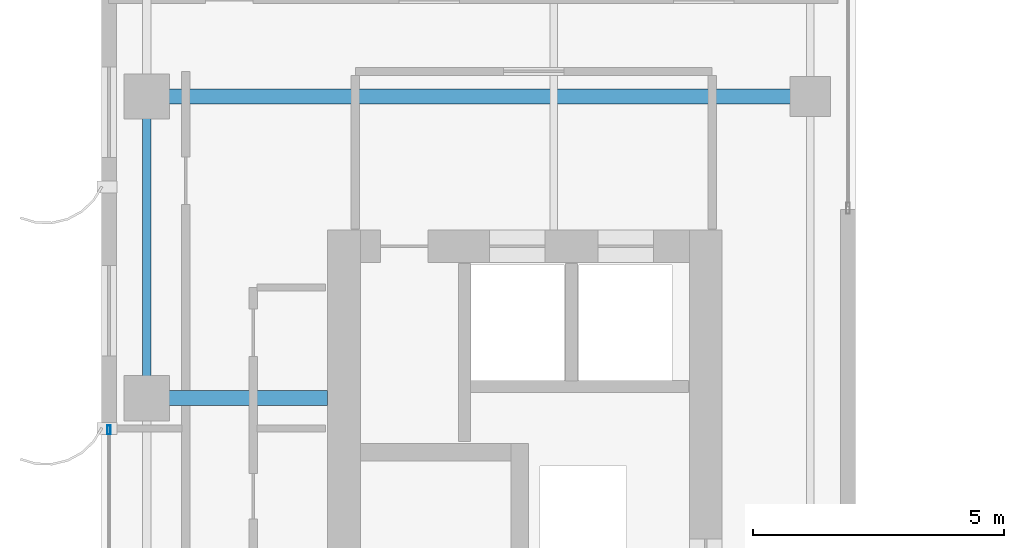
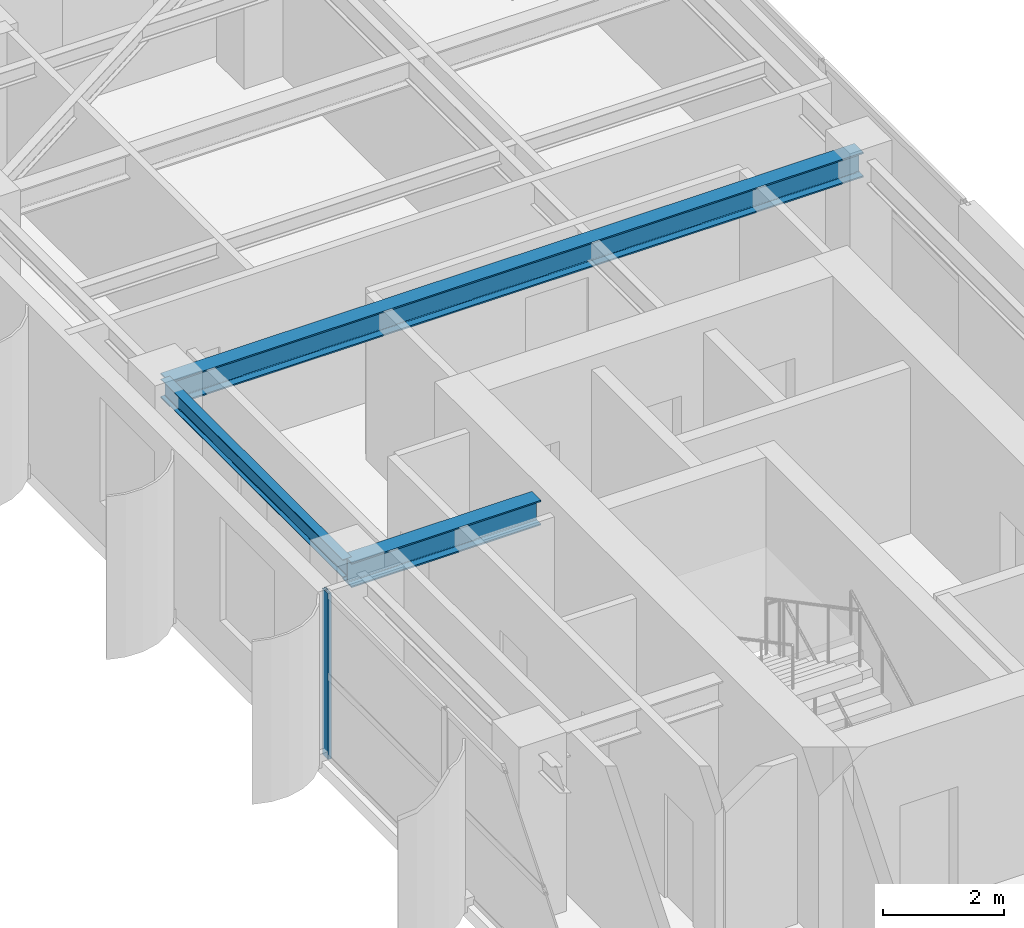
# One storey, part 8 of 22: 3 beams, 1 member, 1 element without a shape of its own.
"""IFC4 building model written with IfcOpenShell, lengths in metres."""

from ifc_helpers import new_model, si_unit, direction, frame, origin, origin_2d, place, context, subcontext, project, spatial, hollow_rectangle, i_section, extrude, source, transform, mapped, material, layer, layer_set, material_profile, profile_set, type_object, element, aggregate, save


model = new_model("IFC4")

# Units and contexts
model_context = context("Model", 3, precision=1e-05, world=origin(), true_north=direction((0.0, 1.0)))
body_context = subcontext(model_context, "Body", "Model", "MODEL_VIEW")
ifc_project = project(units=[si_unit("LENGTHUNIT", "METRE"), si_unit("AREAUNIT", "SQUARE_METRE"), si_unit("VOLUMEUNIT", "CUBIC_METRE"), si_unit("PLANEANGLEUNIT", "RADIAN"), si_unit("MASSUNIT", "GRAM", prefix="KILO")], contexts=[model_context])

# Site, building, storey
site_placement = place(None, origin())
site = spatial("IfcSite", under=ifc_project, at=site_placement, CompositionType="ELEMENT")
building_placement = place(site_placement, origin())
building = spatial("IfcBuilding", under=site, at=building_placement, Name="Khoralis Quay Care Tower", CompositionType="ELEMENT")
storey_placement = place(building_placement, frame((0.0, 0.0, 209.699951171875)))
storey = spatial("IfcBuildingStorey", under=building, at=storey_placement, Name="L55", CompositionType="ELEMENT", Elevation=209.699951171875)

# Beams
ifc_material_1 = material(Name="Steel S355", Category="steel")
ifc_material_profile_1 = material_profile(ifc_material_1, i_section(OverallWidth=0.169921875, OverallDepth=0.360107421875, WebThickness=0.008056640625, FlangeThickness=0.0126953125, FilletRadius=0.01806640625, at=origin_2d()), Name="Steel S355")
ifc_profile_set_1 = profile_set([ifc_material_profile_1], Name="Steel S355")
beam_type_1 = type_object("IfcBeamType", Name="BM-IPE360", PredefinedType="SPANDREL", material=ifc_profile_set_1)
shared_shape_1 = source(origin(), body_context, "Body", "SweptSolid", [
    extrude(i_section(OverallWidth=0.169921875, OverallDepth=0.360107421875, WebThickness=0.008056640625, FlangeThickness=0.0126953125, FilletRadius=0.01806640625, at=origin_2d()), origin(), (0.0, 0.0, 1.0), 6.0),
])
beam_1_placement = place(storey_placement, frame((3.89990234375, 24.0, 3.16015625), z_axis=(0.0, 1.0, 0.0), x_axis=(-1.0, 0.0, 0.0)))
element("IfcBeam", 1, at=beam_1_placement, inside=storey, type_object=beam_type_1, Name="BM-TSP-L55-08", PredefinedType="SPANDREL", context=body_context, shape_type="MappedRepresentation", body=[
    mapped(shared_shape_1, transform((0.0, 0.0, 0.0), scale=1.0)),
])
ifc_material_profile_2 = material_profile(ifc_material_1, i_section(OverallWidth=0.300048828125, OverallDepth=0.5, WebThickness=0.014404296875, FlangeThickness=0.028076171875, FilletRadius=0.027099609375, at=origin_2d()), Name="Steel S355")
ifc_profile_set_2 = profile_set([ifc_material_profile_2], Name="Steel S355")
beam_type_2 = type_object("IfcBeamType", Name="BM-HEB500", PredefinedType="BEAM", material=ifc_profile_set_2)
shared_shape_2 = source(origin(), body_context, "Body", "SweptSolid", [
    extrude(i_section(OverallWidth=0.300048828125, OverallDepth=0.5, WebThickness=0.014404296875, FlangeThickness=0.028076171875, FilletRadius=0.027099609375, at=origin_2d()), origin(), (0.0, 0.0, 1.0), 13.2001953125),
])
beam_2_placement = place(storey_placement, frame((3.89990234375, 30.0, 3.090087890625), z_axis=(1.0, 0.0, 0.0), x_axis=(0.0, 1.0, 0.0)))
element("IfcBeam", 2, at=beam_2_placement, inside=storey, type_object=beam_type_2, Name="BM-TGXW-L55-300", PredefinedType="BEAM", context=body_context, shape_type="MappedRepresentation", body=[
    mapped(shared_shape_2, transform((0.0, 0.0, 0.0), scale=1.0)),
])
shared_shape_3 = source(origin(), body_context, "Body", "SweptSolid", [
    extrude(i_section(OverallWidth=0.300048828125, OverallDepth=0.5, WebThickness=0.014404296875, FlangeThickness=0.028076171875, FilletRadius=0.027099609375, at=origin_2d()), origin(), (0.0, 0.0, 1.0), 3.60205078125),
])
beam_3_placement = place(storey_placement, frame((3.89990234375, 24.0, 3.090087890625), z_axis=(1.0, 0.0, 0.0), x_axis=(0.0, 1.0, 0.0)))
element("IfcBeam", 3, at=beam_3_placement, inside=storey, type_object=beam_type_2, Name="BM-TGXW-L55-240", PredefinedType="BEAM", context=body_context, shape_type="MappedRepresentation", body=[
    mapped(shared_shape_3, transform((0.0, 0.0, 0.0), scale=1.0)),
])

# Curtain wall, member
ifc_material_2 = material(Name="Pale anodised aluminium", Category="aluminium")
ifc_layer = layer(ifc_material_2, 0.159912109375)
ifc_layer_set = layer_set([ifc_layer], Name="Pale anodised aluminium")
curtain_wall_type = type_object("IfcCurtainWallType", Name="CW-SYS-Z3", PredefinedType="NOTDEFINED", material=ifc_layer_set)
curtain_wall_placement = place(storey_placement, origin())
curtain_wall = element("IfcCurtainWall", 4, at=curtain_wall_placement, inside=storey, type_object=curtain_wall_type, Name="L55 Unitised Curtain Wall CW-L55-P1-E7", PredefinedType="NOTDEFINED")
ifc_material_profile_3 = material_profile(ifc_material_2, hollow_rectangle(XDim=0.06494140625, YDim=0.179931640625, WallThickness=0.00390625, at=origin_2d()), Name="Pale anodised aluminium")
ifc_profile_set_3 = profile_set([ifc_material_profile_3], Name="Pale anodised aluminium")
member_type = type_object("IfcMemberType", Name="CW-MUL-180", PredefinedType="MULLION", material=ifc_profile_set_3)
shared_shape_4 = source(origin(), body_context, "Body", "SweptSolid", [
    extrude(hollow_rectangle(XDim=0.06494140625, YDim=0.179931640625, WallThickness=0.00390625, at=origin_2d()), origin(), (0.0, 0.0, 1.0), 3.340087890625),
])
member_placement = place(storey_placement, frame((3.14990234375, 23.3701171875, 0.0), z_axis=(0.0, 0.0, 1.0), x_axis=(1.0, 0.0, 0.0)))
member = element("IfcMember", 5, at=member_placement, type_object=member_type, Name="CW3 mullion 1", PredefinedType="MULLION", context=body_context, shape_type="MappedRepresentation", body=[
    mapped(shared_shape_4, transform((0.0, 0.0, 0.0), scale=1.0)),
])
aggregate(curtain_wall, [member])

save(model, "model.ifc")
